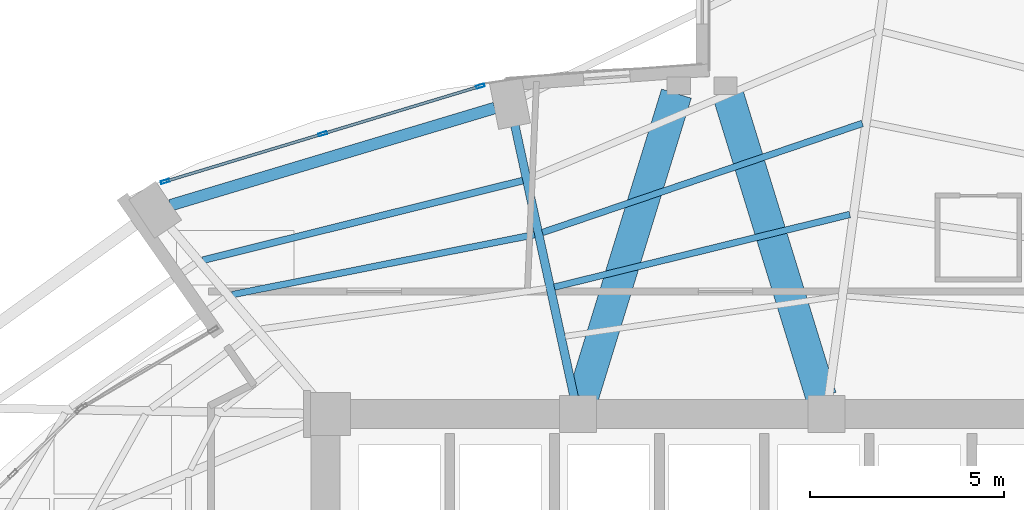
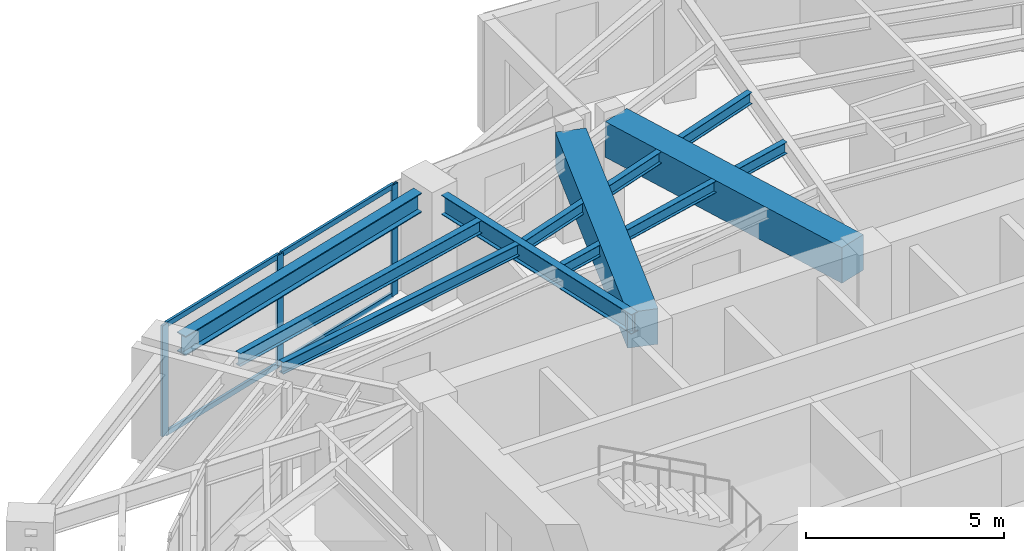
# One storey, part 15 of 24: 8 beams, 7 members, 1 element without a shape of its own.
"""IFC4 building model written with IfcOpenShell, lengths in metres."""

import ifcopenshell
import ifcopenshell.guid

model = None  # the IFC model being written
_history = None  # IfcOwnerHistory: only IFC2X3 demands one
_inside = {}  # id of a spatial element -> (the spatial element, [elements in it])
_under = {}  # id of a project, library or spatial element -> (it, [spatial elements below it])
_declared = {}  # id of a project -> (the project, [libraries it declares])
_typed = {}  # id of a type object -> (the type object, [elements of that type])
_made_of = {}  # id of a material, layer set ... -> (it, [elements and type objects made of it])


def new_model(schema):
    """Start an empty IFC model of exactly this schema.

    Asked for "IFC4X3", IfcOpenShell would pick the latest addendum, in which some entities
    have other attributes; the version numbers below select the first issue.
    IFC2X3 requires an IfcOwnerHistory on every rooted entity: one is made here for all.
    """
    global model, _history
    if schema == "IFC4X3":
        model = ifcopenshell.file(schema_version=(4, 3, 0, 0))
    else:
        model = ifcopenshell.file(schema=schema)
    _inside.clear()
    _under.clear()
    _declared.clear()
    _typed.clear()
    _made_of.clear()
    _history = None
    if model.schema == "IFC2X3":
        org = make("IfcOrganization", Name="unknown")
        user = make(
            "IfcPersonAndOrganization",
            ThePerson=make("IfcPerson", FamilyName="unknown"),
            TheOrganization=org,
        )
        app = make(
            "IfcApplication",
            ApplicationDeveloper=org,
            Version="unknown",
            ApplicationFullName="unknown",
            ApplicationIdentifier="unknown",
        )
        _history = make(
            "IfcOwnerHistory",
            OwningUser=user,
            OwningApplication=app,
            ChangeAction="ADDED",
            CreationDate=0,
        )
    return model


def make(cls, **values):
    """One entity of the class cls with the attributes given. An attribute that is None is left unset."""
    return model.create_entity(
        cls, **{name: value for name, value in values.items() if value is not None}
    )


def rooted(cls, **values):
    """An entity with a GlobalId (a new one), such as an element, a storey or a relation."""
    return make(cls, GlobalId=ifcopenshell.guid.new(), OwnerHistory=_history, **values)


def si_unit(unit_type, name, prefix=None):
    """IfcSIUnit, for example si_unit("LENGTHUNIT", "METRE", prefix="MILLI")."""
    return make("IfcSIUnit", UnitType=unit_type, Prefix=prefix, Name=name)


def assignment(units):
    """IfcUnitAssignment: the units of a project."""
    return None if units is None else make("IfcUnitAssignment", Units=units)


def point(xyz):
    """IfcCartesianPoint."""
    return None if xyz is None else make("IfcCartesianPoint", Coordinates=xyz)


def direction(xyz):
    """IfcDirection."""
    return None if xyz is None else make("IfcDirection", DirectionRatios=xyz)


def frame(location, z_axis=None, x_axis=None):
    """IfcAxis2Placement3D, a coordinate frame: its origin and axes. An axis left out is left unset."""
    return make(
        "IfcAxis2Placement3D",
        Location=point(location),
        Axis=direction(z_axis),
        RefDirection=direction(x_axis),
    )


def frame_2d(location, x_axis=None):
    """IfcAxis2Placement2D, a coordinate frame in the plane: its origin and x axis."""
    return make(
        "IfcAxis2Placement2D", Location=point(location), RefDirection=direction(x_axis)
    )


def origin():
    """The frame at (0, 0, 0) with its axes left unset."""
    return frame((0.0, 0.0, 0.0))


def origin_2d():
    """The frame at (0, 0) in the plane with its x axis left unset."""
    return frame_2d((0.0, 0.0))


def place(relative_to, where):
    """IfcLocalPlacement: puts the frame where relative to a parent placement (None: the world)."""
    return make(
        "IfcLocalPlacement", PlacementRelTo=relative_to, RelativePlacement=where
    )


def context(
    kind, dimensions, precision=None, world=None, true_north=None, identifier=None
):
    """IfcGeometricRepresentationContext, for example the 3D "Model" context."""
    return make(
        "IfcGeometricRepresentationContext",
        ContextIdentifier=identifier,
        ContextType=kind,
        CoordinateSpaceDimension=dimensions,
        Precision=precision,
        WorldCoordinateSystem=world,
        TrueNorth=true_north,
    )


def subcontext(parent, identifier, kind, view, scale=None):
    """IfcGeometricRepresentationSubContext, for example "Body" below "Model"."""
    return make(
        "IfcGeometricRepresentationSubContext",
        ContextIdentifier=identifier,
        ContextType=kind,
        ParentContext=parent,
        TargetScale=scale,
        TargetView=view,
    )


def project(units=None, contexts=None):
    """IfcProject with its units and contexts."""
    return rooted(
        "IfcProject",
        Name="project",
        RepresentationContexts=contexts,
        UnitsInContext=assignment(units),
    )


def spatial(cls, under=None, at=None, **own):
    """A site, building, storey or space (cls), placed at a placement, below another one or the project."""
    s = rooted(cls, ObjectPlacement=at, **own)
    if under is not None:
        _under.setdefault(under.id(), (under, []))[1].append(s)
    return s


def profile(cls, at=None, kind="AREA", **sizes):
    """A parametric profile (cls). Its sizes go by their IFC names, for example OverallWidth=200.0."""
    return make(cls, ProfileType=kind, Position=at, **sizes)


def rectangle(**sizes):
    """IfcRectangleProfileDef."""
    return profile("IfcRectangleProfileDef", **sizes)


def hollow_rectangle(**sizes):
    """IfcRectangleHollowProfileDef."""
    return profile("IfcRectangleHollowProfileDef", **sizes)


def i_section(**sizes):
    """IfcIShapeProfileDef."""
    return profile("IfcIShapeProfileDef", **sizes)


def extrude(swept, where, along, depth):
    """IfcExtrudedAreaSolid: the profile swept, set in the frame where, extruded along a direction by depth."""
    return make(
        "IfcExtrudedAreaSolid",
        SweptArea=swept,
        Position=where,
        ExtrudedDirection=direction(along),
        Depth=depth,
    )


def shape(context_of_items, identifier, shape_type, items):
    """IfcShapeRepresentation: the items that make up one representation, for example the "Body"."""
    return make(
        "IfcShapeRepresentation",
        ContextOfItems=context_of_items,
        RepresentationIdentifier=identifier,
        RepresentationType=shape_type,
        Items=items,
    )


def material(Name=None, Category=None):
    """IfcMaterial."""
    return make("IfcMaterial", Name=Name, Category=Category)


def layer(
    of_material, thickness, ventilated=None, Name=None, Category=None, Priority=None
):
    """IfcMaterialLayer: one layer of a wall or slab, of a material (None: an air gap)."""
    return make(
        "IfcMaterialLayer",
        Material=of_material,
        LayerThickness=thickness,
        IsVentilated=ventilated,
        Name=Name,
        Category=Category,
        Priority=Priority,
    )


def layer_set(layers, Name=None):
    """IfcMaterialLayerSet."""
    return make("IfcMaterialLayerSet", MaterialLayers=layers, LayerSetName=Name)


def material_profile(
    of_material, cross_section, Name=None, Category=None, Priority=None
):
    """IfcMaterialProfile: a cross section and its material."""
    return make(
        "IfcMaterialProfile",
        Name=Name,
        Material=of_material,
        Profile=cross_section,
        Priority=Priority,
        Category=Category,
    )


def profile_set(profiles, Name=None, composite=None):
    """IfcMaterialProfileSet."""
    return make(
        "IfcMaterialProfileSet",
        Name=Name,
        MaterialProfiles=profiles,
        CompositeProfile=composite,
    )


def made_of(thing, what):
    """Note that an element or type object is made of a material, layer set ...; save() writes the relation."""
    if what is not None:
        _made_of.setdefault(what.id(), (what, []))[1].append(thing)
    return thing


def type_object(cls, material=None, **own):
    """A type object (cls), such as IfcWallType, which elements share."""
    return made_of(rooted(cls, **own), material)


def element(
    cls,
    number,
    at=None,
    inside=None,
    cuts=None,
    type_object=None,
    material=None,
    context=None,
    identifier="Body",
    shape_type=None,
    held_by="IfcProductDefinitionShape",
    body=None,
    shapes=None,
    **own,
):
    """One element of the class cls, such as IfcWall. Its Tag is "e" and its number.

    at: its placement. inside: the storey or other place that contains it. cuts: it is an
    opening in that element (IfcRelVoidsElement). A single representation is given by context,
    identifier, shape_type and body (its items); several are given by shapes. held_by: the class
    of the entity that holds the representations. save() writes the other relations.
    """
    e = rooted(cls, Tag="e%d" % number, ObjectPlacement=at, **own)
    if body is not None:
        shapes = [shape(context, identifier, shape_type, body)]
    if shapes is not None:
        e.Representation = make(held_by, Representations=shapes)
    if inside is not None:
        _inside.setdefault(inside.id(), (inside, []))[1].append(e)
    if cuts is not None:
        rooted(
            "IfcRelVoidsElement", RelatingBuildingElement=cuts, RelatedOpeningElement=e
        )
    if type_object is not None:
        _typed.setdefault(type_object.id(), (type_object, []))[1].append(e)
    return made_of(e, material)


def aggregate(whole, parts):
    """IfcRelAggregates: a whole, such as a stair, and the parts it consists of."""
    return rooted("IfcRelAggregates", RelatingObject=whole, RelatedObjects=parts)


def save(model, path):
    """Write the relations noted so far, then the file.

    IfcRelAggregates (storeys below a building ...), IfcRelContainedInSpatialStructure (elements
    in a storey), IfcRelDefinesByType, IfcRelAssociatesMaterial and IfcRelDeclares: one each for
    every whole, place, type object, material and project.
    """
    for whole, parts in _under.values():
        aggregate(whole, parts)
    for where, things in _inside.values():
        rooted(
            "IfcRelContainedInSpatialStructure",
            RelatedElements=things,
            RelatingStructure=where,
        )
    for kind, things in _typed.values():
        rooted("IfcRelDefinesByType", RelatedObjects=things, RelatingType=kind)
    for what, things in _made_of.values():
        rooted("IfcRelAssociatesMaterial", RelatedObjects=things, RelatingMaterial=what)
    for by, libraries in _declared.values():
        rooted("IfcRelDeclares", RelatingContext=by, RelatedDefinitions=libraries)
    model.write(path)


model = new_model("IFC4")

# Units and contexts
model_context = context("Model", 3, precision=1e-05, world=origin(), true_north=direction((0.0, 1.0)))
body_context = subcontext(model_context, "Body", "Model", "MODEL_VIEW")
ifc_project = project(units=[si_unit("LENGTHUNIT", "METRE"), si_unit("AREAUNIT", "SQUARE_METRE"), si_unit("VOLUMEUNIT", "CUBIC_METRE"), si_unit("PLANEANGLEUNIT", "RADIAN"), si_unit("MASSUNIT", "GRAM", prefix="KILO")], contexts=[model_context])

# Site, building, storey
site_placement = place(None, origin())
site = spatial("IfcSite", under=ifc_project, at=site_placement, CompositionType="ELEMENT")
building_placement = place(site_placement, origin())
building = spatial("IfcBuilding", under=site, at=building_placement, Name="Lazwardi Medical Tower", CompositionType="ELEMENT")
storey_placement = place(building_placement, frame((0.0, 0.0, 118.22412109375)))
storey = spatial("IfcBuildingStorey", under=building, at=storey_placement, Name="L30", CompositionType="ELEMENT", Elevation=118.22412109375)

# Beams
ifc_material_1 = material(Name="Concrete C70/85", Category="concrete")
ifc_material_profile_1 = material_profile(ifc_material_1, rectangle(XDim=0.800048828125, YDim=1.10009765625, at=origin_2d()), Name="RC 800x1100")
ifc_profile_set_1 = profile_set([ifc_material_profile_1], Name="Concrete C70/85")
beam_type_1 = type_object("IfcBeamType", Name="BM-CB-RC1", PredefinedType="LINTEL", material=ifc_profile_set_1)
for number, where, z_axis, x_axis, name in (
    (1, (32.935302734375, 36.039794921875, 2.8779296875), (0.294073251002, 0.955782884888, 0.0), (-0.955782884888, 0.294073251002, 0.0), "Core coupling lintel CB-01 PL1 L30"),
    (2, (39.064697265625, 36.039794921875, 2.8779296875), (-0.294073251002, 0.955782884888, 0.0), (-0.955782884888, -0.294073251002, 0.0), "Core coupling lintel CB-01 PL2 L30"),
):
    element("IfcBeam", number, at=place(storey_placement, frame(where, z_axis=z_axis, x_axis=x_axis)), inside=storey, type_object=beam_type_1, Name=name, PredefinedType="LINTEL", context=body_context, shape_type="SweptSolid", body=[
        extrude(rectangle(XDim=0.800048828125, YDim=1.10009765625, at=origin_2d()), origin(), (0.0, 0.0, 1.0), 8.1708984375),
    ])
ifc_material_2 = material(Name="Steel S355", Category="steel")
ifc_material_profile_2 = material_profile(ifc_material_2, i_section(OverallWidth=0.300048828125, OverallDepth=0.60009765625, WebThickness=0.015380859375, FlangeThickness=0.030029296875, at=origin_2d()), Name="HEB 600")
ifc_profile_set_2 = profile_set([ifc_material_profile_2], Name="Steel S355")
beam_type_2 = type_object("IfcBeamType", Name="BM-RB-Z2", PredefinedType="BEAM", material=ifc_profile_set_2)
beam_1_placement = place(storey_placement, frame((30.661865234375, 43.4794921875, 3.1279296875), z_axis=(-0.957879438442, -0.287170648587, 0.0), x_axis=(0.287170648587, -0.957879438442, 0.0)))
element("IfcBeam", 3, at=beam_1_placement, inside=storey, type_object=beam_type_2, Name="Ring beam RB-03 B09 L30", PredefinedType="BEAM", context=body_context, shape_type="SweptSolid", body=[
    extrude(i_section(OverallWidth=0.300048828125, OverallDepth=0.60009765625, WebThickness=0.015380859375, FlangeThickness=0.030029296875, at=origin_2d()), origin(), (0.0, 0.0, 1.0), 8.719970703125),
])
ifc_material_profile_3 = material_profile(ifc_material_2, i_section(OverallWidth=0.219970703125, OverallDepth=0.60009765625, WebThickness=0.011962890625, FlangeThickness=0.01904296875, at=origin_2d()), Name="IPE 600")
ifc_profile_set_3 = profile_set([ifc_material_profile_3], Name="Steel S355")
beam_type_3 = type_object("IfcBeamType", Name="BM-RG-W1", PredefinedType="BEAM", material=ifc_profile_set_3)
beam_2_placement = place(storey_placement, frame((31.17822265625, 43.03076171875, 3.1279296875), z_axis=(0.213228150441, -0.977002433907, 0.0), x_axis=(0.977002433907, 0.213228150441, 0.0)))
element("IfcBeam", 4, at=beam_2_placement, inside=storey, type_object=beam_type_3, Name="Radial girder RG-02 R09 L30", PredefinedType="BEAM", context=body_context, shape_type="SweptSolid", body=[
    extrude(i_section(OverallWidth=0.219970703125, OverallDepth=0.60009765625, WebThickness=0.011962890625, FlangeThickness=0.01904296875, at=origin_2d()), origin(), (0.0, 0.0, 1.0), 7.145751953125),
])
ifc_material_profile_4 = material_profile(ifc_material_2, i_section(OverallWidth=0.179931640625, OverallDepth=0.39990234375, WebThickness=0.008544921875, FlangeThickness=0.013427734375, at=origin_2d()), Name="IPE 400")
ifc_profile_set_4 = profile_set([ifc_material_profile_4], Name="Steel S355")
beam_type_4 = type_object("IfcBeamType", Name="BM-SJ-01", PredefinedType="JOIST", material=ifc_profile_set_4)
beam_3_placement = place(storey_placement, frame((31.381103515625, 41.609130859375, 3.227783203125), z_axis=(-0.970400881943, -0.241499748081, 0.0), x_axis=(0.241499748081, -0.970400881943, 0.0)))
element("IfcBeam", 5, at=beam_3_placement, inside=storey, type_object=beam_type_4, Name="Secondary joist SJ-01 R1 B09 L30", PredefinedType="JOIST", context=body_context, shape_type="SweptSolid", body=[
    extrude(i_section(OverallWidth=0.179931640625, OverallDepth=0.39990234375, WebThickness=0.008544921875, FlangeThickness=0.013427734375, at=origin_2d()), origin(), (0.0, 0.0, 1.0), 8.48583984375),
])
ifc_material_profile_5 = material_profile(ifc_material_2, i_section(OverallWidth=0.169921875, OverallDepth=0.360107421875, WebThickness=0.008056640625, FlangeThickness=0.0126953125, at=origin_2d()), Name="IPE 360")
ifc_profile_set_5 = profile_set([ifc_material_profile_5], Name="Steel S355")
beam_type_5 = type_object("IfcBeamType", Name="BM-SJ-02", PredefinedType="JOIST", material=ifc_profile_set_5)
beam_4_placement = place(storey_placement, frame((40.125732421875, 43.08203125, 3.247802734375), z_axis=(-0.946467154368, -0.322800132749, 0.0), x_axis=(0.322800132749, -0.946467154368, 0.0)))
element("IfcBeam", 6, at=beam_4_placement, inside=storey, type_object=beam_type_5, Name="Secondary joist SJ-02 R2 B08 L30", PredefinedType="JOIST", context=body_context, shape_type="SweptSolid", body=[
    extrude(i_section(OverallWidth=0.169921875, OverallDepth=0.360107421875, WebThickness=0.008056640625, FlangeThickness=0.0126953125, at=origin_2d()), origin(), (0.0, 0.0, 1.0), 8.70458984375),
])
beam_5_placement = place(storey_placement, frame((31.684814453125, 40.2177734375, 3.247802734375), z_axis=(-0.980878853282, -0.194619308352, 0.0), x_axis=(0.194619308352, -0.980878853282, 0.0)))
element("IfcBeam", 7, at=beam_5_placement, inside=storey, type_object=beam_type_5, Name="Secondary joist SJ-02 R2 B09 L30", PredefinedType="JOIST", context=body_context, shape_type="SweptSolid", body=[
    extrude(i_section(OverallWidth=0.169921875, OverallDepth=0.360107421875, WebThickness=0.008056640625, FlangeThickness=0.0126953125, at=origin_2d()), origin(), (0.0, 0.0, 1.0), 7.93701171875),
])
beam_6_placement = place(storey_placement, frame((39.80224609375, 40.737548828125, 3.247802734375), z_axis=(-0.97107737879, -0.238764998276, 0.0), x_axis=(0.238764998276, -0.97107737879, 0.0)))
element("IfcBeam", 8, at=beam_6_placement, inside=storey, type_object=beam_type_5, Name="Secondary joist SJ-02 R3 B08 L30", PredefinedType="JOIST", context=body_context, shape_type="SweptSolid", body=[
    extrude(i_section(OverallWidth=0.169921875, OverallDepth=0.360107421875, WebThickness=0.008056640625, FlangeThickness=0.0126953125, at=origin_2d()), origin(), (0.0, 0.0, 1.0), 7.83447265625),
])

# Curtain wall, members
ifc_material_3 = material(Name="Anodised bronze aluminium and solar control glazing", Category="aluminium")
ifc_layer = layer(ifc_material_3, 0.195068359375)
ifc_layer_set = layer_set([ifc_layer], Name="Anodised bronze aluminium and solar control glazing")
curtain_wall_type = type_object("IfcCurtainWallType", Name="CW-SYS-03", PredefinedType="NOTDEFINED", material=ifc_layer_set)
curtain_wall_placement = place(storey_placement, origin())
curtain_wall = element("IfcCurtainWall", 9, at=curtain_wall_placement, inside=storey, type_object=curtain_wall_type, Name="L30 Unitised bronze curtain wall CW-03", PredefinedType="NOTDEFINED")
ifc_material_4 = material(Name="Anodised bronze aluminium", Category="aluminium")
ifc_material_profile_6 = material_profile(ifc_material_4, hollow_rectangle(XDim=0.074951171875, YDim=0.219970703125, WallThickness=0.00390625, at=origin_2d()), Name="ALU-MULLION 220x75x4")
ifc_profile_set_6 = profile_set([ifc_material_profile_6], Name="Anodised bronze aluminium")
member_type_1 = type_object("IfcMemberType", Name="CW-MUL-01", PredefinedType="MULLION", material=ifc_profile_set_6)
member_1_placement = place(storey_placement, frame((30.289794921875, 44.0400390625, 0.0), z_axis=(0.0, 0.0, 1.0), x_axis=(0.28937381157, -0.957216170558, 0.0)))
member_1 = element("IfcMember", 10, at=member_1_placement, type_object=member_type_1, Name="CW-03 mullion 1", PredefinedType="MULLION", context=body_context, shape_type="SweptSolid", body=[
    extrude(hollow_rectangle(XDim=0.074951171875, YDim=0.219970703125, WallThickness=0.00390625, at=origin_2d()), origin(), (0.0, 0.0, 1.0), 3.427978515625),
])
member_2_placement = place(storey_placement, frame((26.230712890625, 42.81298828125, 0.0), z_axis=(0.0, 0.0, 1.0), x_axis=(0.28937381157, -0.957216170558, 0.0)))
member_2 = element("IfcMember", 11, at=member_2_placement, type_object=member_type_1, Name="CW-03 mullion 2", PredefinedType="MULLION", context=body_context, shape_type="SweptSolid", body=[
    extrude(hollow_rectangle(XDim=0.074951171875, YDim=0.219970703125, WallThickness=0.00390625, at=origin_2d()), origin(), (0.0, 0.0, 1.0), 3.427978515625),
])
member_3_placement = place(storey_placement, frame((22.171630859375, 41.5859375, 0.0), z_axis=(0.0, 0.0, 1.0), x_axis=(0.28937381157, -0.957216170558, 0.0)))
member_3 = element("IfcMember", 12, at=member_3_placement, type_object=member_type_1, Name="CW-03 mullion 3", PredefinedType="MULLION", context=body_context, shape_type="SweptSolid", body=[
    extrude(hollow_rectangle(XDim=0.074951171875, YDim=0.219970703125, WallThickness=0.00390625, at=origin_2d()), origin(), (0.0, 0.0, 1.0), 3.427978515625),
])
ifc_material_profile_7 = material_profile(ifc_material_4, hollow_rectangle(XDim=0.074951171875, YDim=0.159912109375, WallThickness=0.00390625, at=origin_2d()), Name="ALU-TRANSOM 160x75x4")
ifc_profile_set_7 = profile_set([ifc_material_profile_7], Name="Anodised bronze aluminium")
member_type_2 = type_object("IfcMemberType", Name="CW-TRN-01", PredefinedType="USERDEFINED", material=ifc_profile_set_7)
member_4_placement = place(storey_placement, frame((30.25390625, 44.029296875, 0.037353515625), z_axis=(-0.957220865985, -0.289358279168, 0.0), x_axis=(0.289358279168, -0.957220865985, 0.0)))
member_4 = element("IfcMember", 13, at=member_4_placement, type_object=member_type_2, Name="CW-03 transom 1.1", ObjectType="TRANSOM", PredefinedType="USERDEFINED", context=body_context, shape_type="SweptSolid", body=[
    extrude(hollow_rectangle(XDim=0.074951171875, YDim=0.159912109375, WallThickness=0.00390625, at=origin_2d()), origin(), (0.0, 0.0, 1.0), 4.16552734375),
])
member_5_placement = place(storey_placement, frame((30.25390625, 44.029296875, 3.390380859375), z_axis=(-0.957220865985, -0.289358279168, 0.0), x_axis=(0.289358279168, -0.957220865985, 0.0)))
member_5 = element("IfcMember", 14, at=member_5_placement, type_object=member_type_2, Name="CW-03 transom 1.2", ObjectType="TRANSOM", PredefinedType="USERDEFINED", context=body_context, shape_type="SweptSolid", body=[
    extrude(hollow_rectangle(XDim=0.074951171875, YDim=0.159912109375, WallThickness=0.00390625, at=origin_2d()), origin(), (0.0, 0.0, 1.0), 4.16552734375),
])
member_6_placement = place(storey_placement, frame((26.19482421875, 42.80224609375, 0.037353515625), z_axis=(-0.957220865985, -0.289358279168, 0.0), x_axis=(0.289358279168, -0.957220865985, 0.0)))
member_6 = element("IfcMember", 15, at=member_6_placement, type_object=member_type_2, Name="CW-03 transom 2.1", ObjectType="TRANSOM", PredefinedType="USERDEFINED", context=body_context, shape_type="SweptSolid", body=[
    extrude(hollow_rectangle(XDim=0.074951171875, YDim=0.159912109375, WallThickness=0.00390625, at=origin_2d()), origin(), (0.0, 0.0, 1.0), 4.16552734375),
])
member_7_placement = place(storey_placement, frame((26.19482421875, 42.80224609375, 3.390380859375), z_axis=(-0.957220865985, -0.289358279168, 0.0), x_axis=(0.289358279168, -0.957220865985, 0.0)))
member_7 = element("IfcMember", 16, at=member_7_placement, type_object=member_type_2, Name="CW-03 transom 2.2", ObjectType="TRANSOM", PredefinedType="USERDEFINED", context=body_context, shape_type="SweptSolid", body=[
    extrude(hollow_rectangle(XDim=0.074951171875, YDim=0.159912109375, WallThickness=0.00390625, at=origin_2d()), origin(), (0.0, 0.0, 1.0), 4.16552734375),
])
aggregate(curtain_wall, [member_1, member_2, member_3, member_4, member_5, member_6, member_7])

save(model, "model.ifc")
